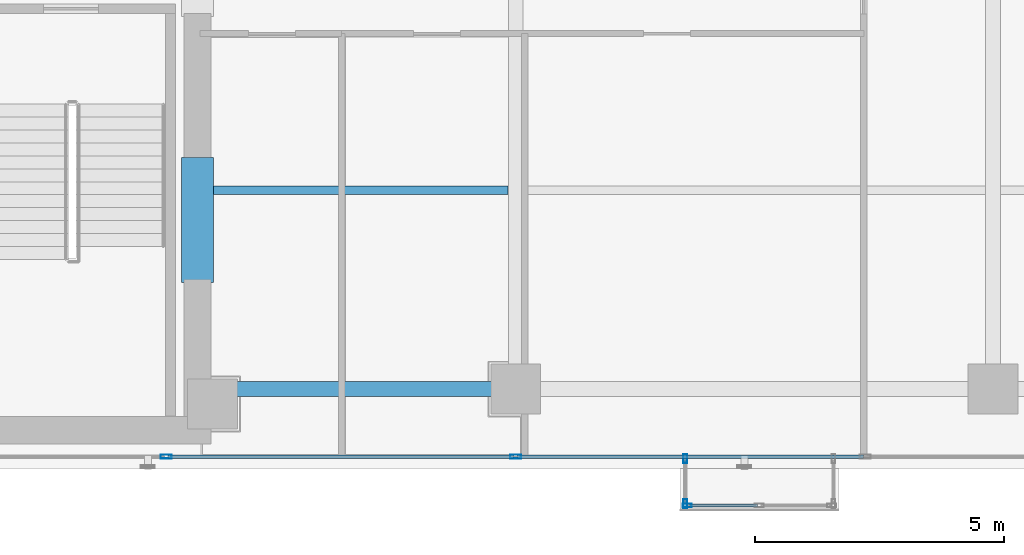
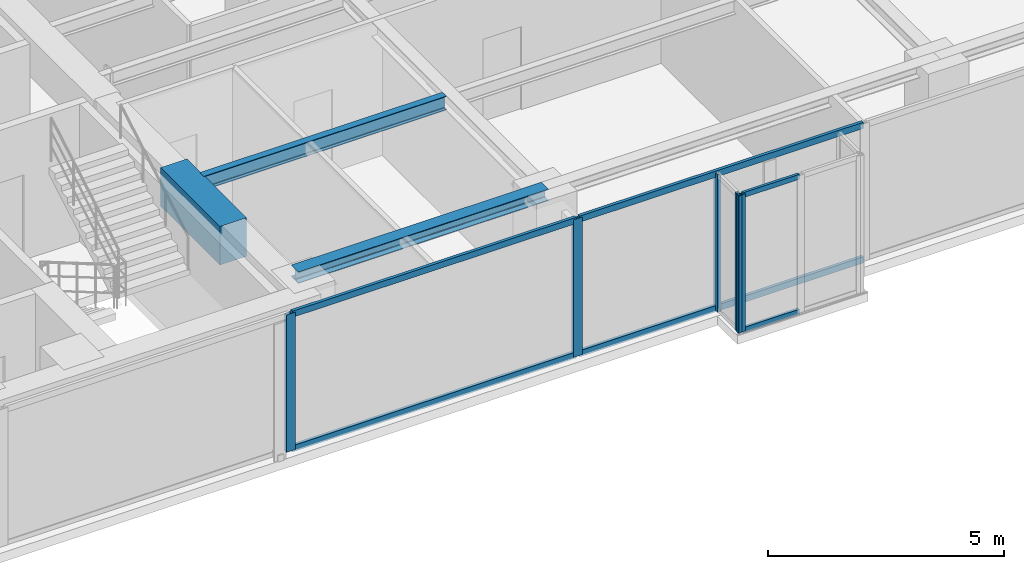
# One storey, part 4 of 23: 11 members, 3 beams, 3 elements without a shape of their own.
"""IFC4 building model written with IfcOpenShell, lengths in metres."""

from ifc_helpers import new_model, si_unit, direction, frame, origin, origin_with_axes, origin_2d, place, context, subcontext, project, spatial, rectangle, hollow_rectangle, i_section, extrude, source, transform, mapped, material, layer, layer_set, material_profile, profile_set, type_object, element, aggregate, save


model = new_model("IFC4")

# Units and contexts
model_context = context("Model", 3, precision=1e-05, world=origin(), true_north=direction((0.0, 1.0)))
body_context = subcontext(model_context, "Body", "Model", "MODEL_VIEW")
ifc_project = project(units=[si_unit("LENGTHUNIT", "METRE"), si_unit("AREAUNIT", "SQUARE_METRE"), si_unit("VOLUMEUNIT", "CUBIC_METRE"), si_unit("PLANEANGLEUNIT", "RADIAN"), si_unit("MASSUNIT", "GRAM", prefix="KILO")], contexts=[model_context])

# Site, building, storey
site_placement = place(None, origin())
site = spatial("IfcSite", under=ifc_project, at=site_placement, CompositionType="ELEMENT")
building_placement = place(site_placement, origin())
building = spatial("IfcBuilding", under=site, at=building_placement, Name="Kolvaren Waterfront Exchange", CompositionType="ELEMENT")
storey_placement = place(building_placement, frame((0.0, 0.0, 234.89990234375)))
storey = spatial("IfcBuildingStorey", under=building, at=storey_placement, Name="L60", CompositionType="ELEMENT", Elevation=234.89990234375)

# Beams
ifc_material_1 = material(Name="Steel S355", Category="steel")
ifc_material_profile_1 = material_profile(ifc_material_1, i_section(OverallWidth=0.300048828125, OverallDepth=0.300048828125, WebThickness=0.010986328125, FlangeThickness=0.01904296875, FilletRadius=0.027099609375, at=origin_2d()), Name="HEB300")
ifc_profile_set_1 = profile_set([ifc_material_profile_1], Name="Steel S355")
beam_type_1 = type_object("IfcBeamType", Name="STR-BM-HEB300", PredefinedType="SPANDREL", material=ifc_profile_set_1)
beam_1_placement = place(storey_placement, frame((21.074951171875, 5.199951171875, 3.41015625), z_axis=(1.0, 0.0, 0.0), x_axis=(0.0, 1.0, 0.0)))
element("IfcBeam", 1, at=beam_1_placement, inside=storey, type_object=beam_type_1, Name="L60 east-arm spandrel S1", PredefinedType="SPANDREL", context=body_context, shape_type="SweptSolid", body=[
    extrude(i_section(OverallWidth=0.300048828125, OverallDepth=0.300048828125, WebThickness=0.010986328125, FlangeThickness=0.01904296875, FilletRadius=0.027099609375, at=origin_2d()), origin(), (0.0, 0.0, 1.0), 6.125),
])
ifc_material_profile_2 = material_profile(ifc_material_1, i_section(OverallWidth=0.169921875, OverallDepth=0.360107421875, WebThickness=0.008056640625, FlangeThickness=0.0126953125, FilletRadius=0.01806640625, at=origin_2d()), Name="IPE360")
ifc_profile_set_2 = profile_set([ifc_material_profile_2], Name="Steel S355")
beam_type_2 = type_object("IfcBeamType", Name="STR-BM-IPE360", PredefinedType="JOIST", material=ifc_profile_set_2)
beam_2_placement = place(storey_placement, frame((21.10009765625, 9.199951171875, 3.380126953125), z_axis=(1.0, 0.0, 0.0), x_axis=(0.0, 1.0, 0.0)))
element("IfcBeam", 2, at=beam_2_placement, inside=storey, type_object=beam_type_2, Name="L60 east-arm composite joist 1B", PredefinedType="JOIST", context=body_context, shape_type="SweptSolid", body=[
    extrude(i_section(OverallWidth=0.169921875, OverallDepth=0.360107421875, WebThickness=0.008056640625, FlangeThickness=0.0126953125, FilletRadius=0.01806640625, at=origin_2d()), origin(), (0.0, 0.0, 1.0), 5.947998046875),
])
ifc_material_2 = material(Name="Concrete C60/75", Category="concrete")
ifc_material_profile_3 = material_profile(ifc_material_2, rectangle(XDim=0.64990234375, YDim=1.0, at=origin_2d()), Name="RC-CB-1000x650")
ifc_profile_set_3 = profile_set([ifc_material_profile_3], Name="Concrete C60/75")
beam_type_3 = type_object("IfcBeamType", Name="STR-CB-1000", PredefinedType="SPANDREL", material=ifc_profile_set_3)
beam_3_placement = place(storey_placement, frame((20.800048828125, 7.340087890625, 3.06005859375), z_axis=(0.0, 1.0, 0.0), x_axis=(-1.0, 0.0, 0.0)))
element("IfcBeam", 3, at=beam_3_placement, inside=storey, type_object=beam_type_3, Name="L60 core coupling beam 1", PredefinedType="SPANDREL", context=body_context, shape_type="SweptSolid", body=[
    extrude(rectangle(XDim=0.64990234375, YDim=1.0, at=origin_2d()), origin(), (0.0, 0.0, 1.0), 2.52001953125),
])

# Curtain wall, members
ifc_material_3 = material(Name="Anodised bronze aluminium 6063-T6", Category="aluminium")
ifc_layer_1 = layer(ifc_material_3, 0.219970703125, Name="Anodised bronze aluminium 6063-T6")
ifc_layer_set_1 = layer_set([ifc_layer_1], Name="Anodised bronze aluminium 6063-T6")
curtain_wall_type_1 = type_object("IfcCurtainWallType", Name="ARC-CW-SYS3", PredefinedType="USERDEFINED", material=ifc_layer_set_1)
curtain_wall_1_placement = place(storey_placement, origin())
curtain_wall_1 = element("IfcCurtainWall", 4, at=curtain_wall_1_placement, inside=storey, type_object=curtain_wall_type_1, Name="L60 stick curtain wall CW3 (CW-L60-BOX)", ObjectType="STICK CURTAIN WALL", PredefinedType="USERDEFINED")
ifc_material_profile_4 = material_profile(ifc_material_3, hollow_rectangle(XDim=0.06494140625, YDim=0.1298828125, WallThickness=0.00390625, at=origin_2d()), Name="ALU-TRN-130x65x4")
ifc_profile_set_4 = profile_set([ifc_material_profile_4], Name="Anodised bronze aluminium 6063-T6")
member_type_1 = type_object("IfcMemberType", Name="ARC-CWT-130", PredefinedType="USERDEFINED", material=ifc_profile_set_4)
shared_shape_1 = source(origin_with_axes(), body_context, "Body", "SweptSolid", [
    extrude(hollow_rectangle(XDim=0.06494140625, YDim=0.1298828125, WallThickness=0.00390625, at=origin_2d()), origin(), (0.0, 0.0, 1.0), 1.37744140625),
])
member_1_placement = place(storey_placement, frame((30.68505859375, 2.860107421875, 0.03271484375), z_axis=(1.0, 0.0, 0.0), x_axis=(0.0, 1.0, 0.0)))
member_1 = element("IfcMember", 5, at=member_1_placement, type_object=member_type_1, Name="CW3 transom 1.1", ObjectType="TRANSOM", PredefinedType="USERDEFINED", context=body_context, shape_type="MappedRepresentation", body=[
    mapped(shared_shape_1, transform((0.0, 0.0, 0.0), x_axis=(1.0, 0.0, 0.0), y_axis=(0.0, 1.0, 0.0), z_axis=(0.0, 0.0, 1.0), scale=1.0)),
])
member_2_placement = place(storey_placement, frame((30.68505859375, 2.860107421875, 3.527587890625), z_axis=(1.0, 0.0, 0.0), x_axis=(0.0, 1.0, 0.0)))
member_2 = element("IfcMember", 6, at=member_2_placement, type_object=member_type_1, Name="CW3 transom 1.2", ObjectType="TRANSOM", PredefinedType="USERDEFINED", context=body_context, shape_type="MappedRepresentation", body=[
    mapped(shared_shape_1, transform((0.0, 0.0, 0.0), x_axis=(1.0, 0.0, 0.0), y_axis=(0.0, 1.0, 0.0), z_axis=(0.0, 0.0, 1.0), scale=1.0)),
])

curtain_wall_2_placement = place(storey_placement, origin())
curtain_wall_2 = element("IfcCurtainWall", 7, at=curtain_wall_2_placement, inside=storey, type_object=curtain_wall_type_1, Name="L60 stick curtain wall CW3 (CW-L60-BOX-W)", ObjectType="STICK CURTAIN WALL", PredefinedType="USERDEFINED")
ifc_material_profile_5 = material_profile(ifc_material_3, hollow_rectangle(XDim=0.074951171875, YDim=0.179931640625, WallThickness=0.00439453125, at=origin_2d()), Name="ALU-MUL-180x75x4.5")
ifc_profile_set_5 = profile_set([ifc_material_profile_5], Name="Anodised bronze aluminium 6063-T6")
member_type_2 = type_object("IfcMemberType", Name="ARC-CWM-180", PredefinedType="MULLION", material=ifc_profile_set_5)
shared_shape_2 = source(origin_with_axes(), body_context, "Body", "SweptSolid", [
    extrude(hollow_rectangle(XDim=0.074951171875, YDim=0.179931640625, WallThickness=0.00439453125, at=origin_2d()), origin(), (0.0, 0.0, 1.0), 3.56005859375),
])
member_3_placement = place(storey_placement, frame((30.610107421875, 3.802490234375, 0.0), z_axis=(0.0, 0.0, 1.0), x_axis=(1.0, 0.0, 0.0)))
member_3 = element("IfcMember", 8, at=member_3_placement, type_object=member_type_2, Name="CW3 mullion 1", PredefinedType="MULLION", context=body_context, shape_type="MappedRepresentation", body=[
    mapped(shared_shape_2, transform((0.0, 0.0, 0.0), x_axis=(1.0, 0.0, 0.0), y_axis=(0.0, 1.0, 0.0), z_axis=(0.0, 0.0, 1.0), scale=1.0)),
])
member_4_placement = place(storey_placement, frame((30.610107421875, 2.8974609375, 0.0), z_axis=(0.0, 0.0, 1.0), x_axis=(1.0, 0.0, 0.0)))
member_4 = element("IfcMember", 9, at=member_4_placement, type_object=member_type_2, Name="CW3 mullion 2", PredefinedType="MULLION", context=body_context, shape_type="MappedRepresentation", body=[
    mapped(shared_shape_2, transform((0.0, 0.0, 0.0), x_axis=(1.0, 0.0, 0.0), y_axis=(0.0, 1.0, 0.0), z_axis=(0.0, 0.0, 1.0), scale=1.0)),
])
aggregate(curtain_wall_2, [member_3, member_4])

# Member
member_5_placement = place(storey_placement, frame((30.6474609375, 2.860107421875, 0.0), z_axis=(0.0, 0.0, 1.0), x_axis=(0.0, 1.0, 0.0)))
member_5 = element("IfcMember", 10, at=member_5_placement, type_object=member_type_2, Name="CW3 mullion 1", PredefinedType="MULLION", context=body_context, shape_type="MappedRepresentation", body=[
    mapped(shared_shape_2, transform((0.0, 0.0, 0.0), x_axis=(1.0, 0.0, 0.0), y_axis=(0.0, 1.0, 0.0), z_axis=(0.0, 0.0, 1.0), scale=1.0)),
])

aggregate(curtain_wall_1, [member_5, member_1, member_2])

# Curtain wall, members
ifc_layer_2 = layer(ifc_material_3, 0.219970703125, Name="Anodised bronze aluminium 6063-T6")
ifc_layer_set_2 = layer_set([ifc_layer_2], Name="Anodised bronze aluminium 6063-T6")
curtain_wall_type_2 = type_object("IfcCurtainWallType", Name="ARC-CW-SYS1", PredefinedType="USERDEFINED", material=ifc_layer_set_2)
curtain_wall_3_placement = place(storey_placement, origin())
curtain_wall_3 = element("IfcCurtainWall", 11, at=curtain_wall_3_placement, inside=storey, type_object=curtain_wall_type_2, Name="L60 stick curtain wall CW1 (CW-L60-S)", ObjectType="STICK CURTAIN WALL", PredefinedType="USERDEFINED")
ifc_material_4 = material(Name="Anodised aluminium 6063-T6", Category="aluminium")
ifc_material_profile_6 = material_profile(ifc_material_4, hollow_rectangle(XDim=0.080078125, YDim=0.219970703125, WallThickness=0.0048828125, at=origin_2d()), Name="ALU-MUL-220x80x5")
ifc_profile_set_6 = profile_set([ifc_material_profile_6], Name="Anodised aluminium 6063-T6")
member_type_3 = type_object("IfcMemberType", Name="ARC-CWM-220", PredefinedType="MULLION", material=ifc_profile_set_6)
shared_shape_3 = source(origin_with_axes(), body_context, "Body", "SweptSolid", [
    extrude(hollow_rectangle(XDim=0.080078125, YDim=0.219970703125, WallThickness=0.0048828125, at=origin_2d()), origin(), (0.0, 0.0, 1.0), 3.56005859375),
])
member_6_placement = place(storey_placement, frame((20.166748046875, 3.840087890625, 0.0), z_axis=(0.0, 0.0, 1.0), x_axis=(0.0, 1.0, 0.0)))
member_6 = element("IfcMember", 12, at=member_6_placement, type_object=member_type_3, Name="CW1 mullion 3", PredefinedType="MULLION", context=body_context, shape_type="MappedRepresentation", body=[
    mapped(shared_shape_3, transform((0.0, 0.0, 0.0), x_axis=(1.0, 0.0, 0.0), y_axis=(0.0, 1.0, 0.0), z_axis=(0.0, 0.0, 1.0), scale=1.0)),
])
member_7_placement = place(storey_placement, frame((27.199951171875, 3.840087890625, 0.0), z_axis=(0.0, 0.0, 1.0), x_axis=(0.0, 1.0, 0.0)))
member_7 = element("IfcMember", 13, at=member_7_placement, type_object=member_type_3, Name="CW1 mullion 4", PredefinedType="MULLION", context=body_context, shape_type="MappedRepresentation", body=[
    mapped(shared_shape_3, transform((0.0, 0.0, 0.0), x_axis=(1.0, 0.0, 0.0), y_axis=(0.0, 1.0, 0.0), z_axis=(0.0, 0.0, 1.0), scale=1.0)),
])
ifc_material_profile_7 = material_profile(ifc_material_4, hollow_rectangle(XDim=0.074951171875, YDim=0.159912109375, WallThickness=0.00439453125, at=origin_2d()), Name="ALU-TRN-160x75x4.5")
ifc_profile_set_7 = profile_set([ifc_material_profile_7], Name="Anodised aluminium 6063-T6")
member_type_4 = type_object("IfcMemberType", Name="ARC-CWT-160", PredefinedType="USERDEFINED", material=ifc_profile_set_7)
shared_shape_4 = source(origin_with_axes(), body_context, "Body", "SweptSolid", [
    extrude(hollow_rectangle(XDim=0.074951171875, YDim=0.159912109375, WallThickness=0.00439453125, at=origin_2d()), origin(), (0.0, 0.0, 1.0), 6.953369140625),
])
member_8_placement = place(storey_placement, frame((27.239990234375, 3.840087890625, 0.03759765625), z_axis=(1.0, 0.0, 0.0), x_axis=(0.0, 1.0, 0.0)))
member_8 = element("IfcMember", 14, at=member_8_placement, type_object=member_type_4, Name="CW1 transom 4.1", ObjectType="TRANSOM", PredefinedType="USERDEFINED", context=body_context, shape_type="MappedRepresentation", body=[
    mapped(shared_shape_4, transform((0.0, 0.0, 0.0), x_axis=(1.0, 0.0, 0.0), y_axis=(0.0, 1.0, 0.0), z_axis=(0.0, 0.0, 1.0), scale=1.0)),
])
member_9_placement = place(storey_placement, frame((27.239990234375, 3.840087890625, 3.522705078125), z_axis=(1.0, 0.0, 0.0), x_axis=(0.0, 1.0, 0.0)))
member_9 = element("IfcMember", 15, at=member_9_placement, type_object=member_type_4, Name="CW1 transom 4.2", ObjectType="TRANSOM", PredefinedType="USERDEFINED", context=body_context, shape_type="MappedRepresentation", body=[
    mapped(shared_shape_4, transform((0.0, 0.0, 0.0), x_axis=(1.0, 0.0, 0.0), y_axis=(0.0, 1.0, 0.0), z_axis=(0.0, 0.0, 1.0), scale=1.0)),
])
shared_shape_5 = source(origin_with_axes(), body_context, "Body", "SweptSolid", [
    extrude(hollow_rectangle(XDim=0.074951171875, YDim=0.159912109375, WallThickness=0.00439453125, at=origin_2d()), origin(), (0.0, 0.0, 1.0), 6.953125),
])
member_10_placement = place(storey_placement, frame((20.206787109375, 3.840087890625, 0.03759765625), z_axis=(1.0, 0.0, 0.0), x_axis=(0.0, 1.0, 0.0)))
member_10 = element("IfcMember", 16, at=member_10_placement, type_object=member_type_4, Name="CW1 transom 3.1", ObjectType="TRANSOM", PredefinedType="USERDEFINED", context=body_context, shape_type="MappedRepresentation", body=[
    mapped(shared_shape_5, transform((0.0, 0.0, 0.0), x_axis=(1.0, 0.0, 0.0), y_axis=(0.0, 1.0, 0.0), z_axis=(0.0, 0.0, 1.0), scale=1.0)),
])
member_11_placement = place(storey_placement, frame((20.206787109375, 3.840087890625, 3.522705078125), z_axis=(1.0, 0.0, 0.0), x_axis=(0.0, 1.0, 0.0)))
member_11 = element("IfcMember", 17, at=member_11_placement, type_object=member_type_4, Name="CW1 transom 3.2", ObjectType="TRANSOM", PredefinedType="USERDEFINED", context=body_context, shape_type="MappedRepresentation", body=[
    mapped(shared_shape_5, transform((0.0, 0.0, 0.0), x_axis=(1.0, 0.0, 0.0), y_axis=(0.0, 1.0, 0.0), z_axis=(0.0, 0.0, 1.0), scale=1.0)),
])
aggregate(curtain_wall_3, [member_6, member_7, member_10, member_11, member_8, member_9])

save(model, "model.ifc")
